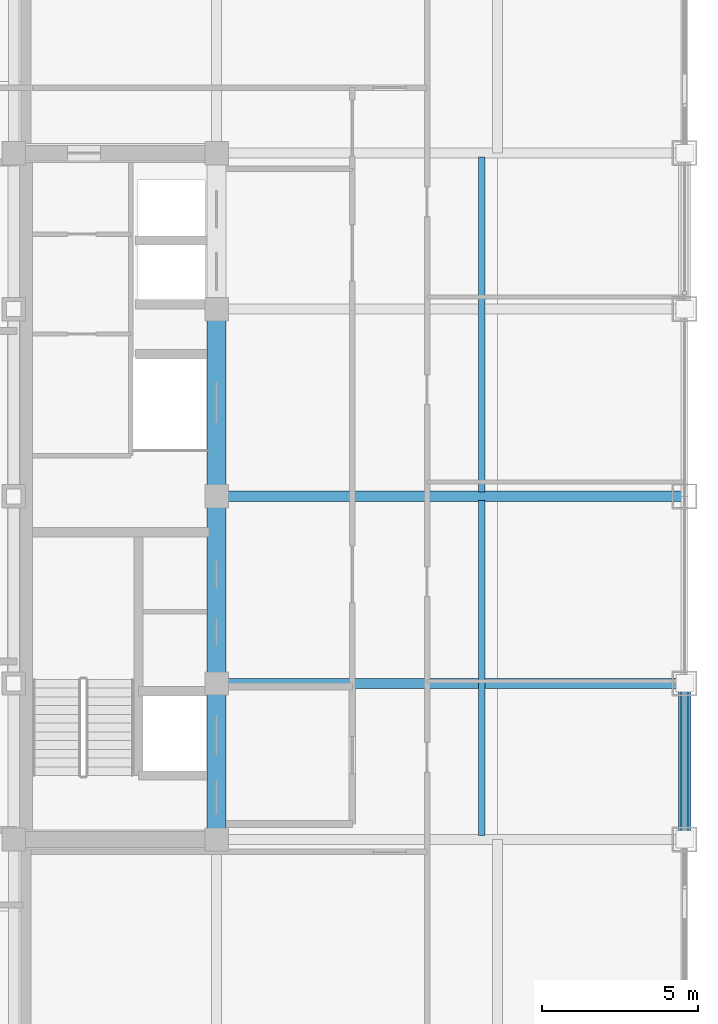
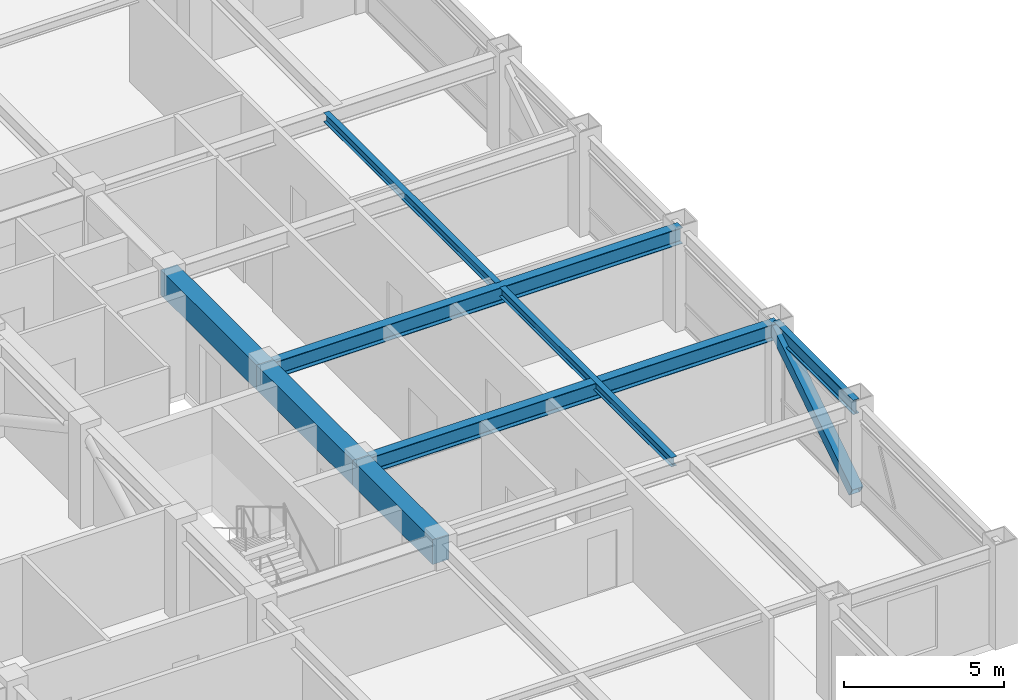
# One storey, part 13 of 29: 8 beams, 1 member.
"""IFC4 building model written with IfcOpenShell, lengths in metres."""

from ifc_helpers import new_model, si_unit, direction, frame, origin, origin_2d, place, context, subcontext, project, spatial, rectangle, hollow_rectangle, i_section, extrude, source, transform, mapped, material, material_profile, profile_set, type_object, element, save


model = new_model("IFC4")

# Units and contexts
model_context = context("Model", 3, precision=1e-05, world=origin(), true_north=direction((0.0, 1.0)))
body_context = subcontext(model_context, "Body", "Model", "MODEL_VIEW")
ifc_project = project(units=[si_unit("LENGTHUNIT", "METRE"), si_unit("AREAUNIT", "SQUARE_METRE"), si_unit("VOLUMEUNIT", "CUBIC_METRE"), si_unit("PLANEANGLEUNIT", "RADIAN"), si_unit("MASSUNIT", "GRAM", prefix="KILO")], contexts=[model_context])

# Site, building, storey
site_placement = place(None, origin())
site = spatial("IfcSite", under=ifc_project, at=site_placement, CompositionType="ELEMENT")
building_placement = place(site_placement, origin())
building = spatial("IfcBuilding", under=site, at=building_placement, Name="Khorayat Bourse Tower", CompositionType="ELEMENT")
storey_placement = place(building_placement, frame((0.0, 0.0, 346.300048828125)))
storey = spatial("IfcBuildingStorey", under=building, at=storey_placement, Name="L82", CompositionType="ELEMENT", Elevation=346.300048828125)

# Beams
ifc_material_1 = material(Name="Concrete C60/75", Category="concrete")
ifc_material_profile_1 = material_profile(ifc_material_1, rectangle(XDim=0.60009765625, YDim=0.949951171875, at=origin_2d()), Name="RC 600x950")
ifc_profile_set_1 = profile_set([ifc_material_profile_1], Name="Concrete C60/75")
beam_type_1 = type_object("IfcBeamType", Name="BM-COUP-950", PredefinedType="BEAM", material=ifc_profile_set_1)
shared_shape_1 = source(origin(), body_context, "Body", "SweptSolid", [
    extrude(rectangle(XDim=0.60009765625, YDim=0.949951171875, at=origin_2d()), origin(), (0.0, 0.0, 1.0), 5.0),
])
beam_1_placement = place(storey_placement, frame((11.0, -11.0, 3.264892578125), z_axis=(0.0, 1.0, 0.0), x_axis=(-1.0, 0.0, 0.0)))
element("IfcBeam", 1, at=beam_1_placement, inside=storey, type_object=beam_type_1, Name="L82 BM-COUP-950 BM-L82-CRX-13", PredefinedType="BEAM", context=body_context, shape_type="MappedRepresentation", body=[
    mapped(shared_shape_1, transform((0.0, 0.0, 0.0), scale=1.0)),
])
shared_shape_2 = source(origin(), body_context, "Body", "SweptSolid", [
    extrude(rectangle(XDim=0.60009765625, YDim=0.949951171875, at=origin_2d()), origin(), (0.0, 0.0, 1.0), 6.0),
])
for number, where, z_axis, x_axis, name in (
    (2, (11.0, -6.0, 3.264892578125), (0.0, 1.0, 0.0), (-1.0, 0.0, 0.0), "L82 BM-COUP-950 BM-L82-CRX-14"),
    (3, (11.0, 0.0, 3.264892578125), (0.0, 1.0, 0.0), (-1.0, 0.0, 0.0), "L82 BM-COUP-950 BM-L82-CRX-15"),
):
    element("IfcBeam", number, at=place(storey_placement, frame(where, z_axis=z_axis, x_axis=x_axis)), inside=storey, type_object=beam_type_1, Name=name, PredefinedType="BEAM", context=body_context, shape_type="MappedRepresentation", body=[
        mapped(shared_shape_2, transform((0.0, 0.0, 0.0), scale=1.0)),
    ])
ifc_material_2 = material(Name="Steel ASTM A992 Grade 50", Category="steel")
ifc_material_profile_2 = material_profile(ifc_material_2, i_section(OverallWidth=0.202880859375, OverallDepth=0.346923828125, WebThickness=0.0078125, FlangeThickness=0.013427734375, FilletRadius=0.010009765625, at=origin_2d()), Name="W360X64")
ifc_profile_set_2 = profile_set([ifc_material_profile_2], Name="Steel ASTM A992 Grade 50")
beam_type_2 = type_object("IfcBeamType", Name="BM-JOIST-360", PredefinedType="JOIST", material=ifc_profile_set_2)
shared_shape_3 = source(origin(), body_context, "Body", "SweptSolid", [
    extrude(i_section(OverallWidth=0.202880859375, OverallDepth=0.346923828125, WebThickness=0.0078125, FlangeThickness=0.013427734375, FilletRadius=0.010009765625, at=origin_2d()), origin(), (0.0, 0.0, 1.0), 10.740234375),
])
for number, where, z_axis, x_axis, name in (
    (4, (19.5, -10.8701171875, 3.56640625), (0.0, 1.0, 0.0), (-1.0, 0.0, 0.0), "L82 BM-JOIST-360 BM-L82-JSTY-081"),
    (5, (19.5, 0.1298828125, 3.56640625), (0.0, 1.0, 0.0), (-1.0, 0.0, 0.0), "L82 BM-JOIST-360 BM-L82-JSTY-082"),
):
    element("IfcBeam", number, at=place(storey_placement, frame(where, z_axis=z_axis, x_axis=x_axis)), inside=storey, type_object=beam_type_2, Name=name, PredefinedType="JOIST", context=body_context, shape_type="MappedRepresentation", body=[
        mapped(shared_shape_3, transform((0.0, 0.0, 0.0), scale=1.0)),
    ])
ifc_material_profile_3 = material_profile(ifc_material_2, i_section(OverallWidth=0.214111328125, OverallDepth=0.549072265625, WebThickness=0.0146484375, FlangeThickness=0.023681640625, FilletRadius=0.013916015625, at=origin_2d()), Name="W530X138")
ifc_profile_set_3 = profile_set([ifc_material_profile_3], Name="Steel ASTM A992 Grade 50")
beam_type_3 = type_object("IfcBeamType", Name="BM-SPAN-530", PredefinedType="SPANDREL", material=ifc_profile_set_3)
shared_shape_4 = source(origin(), body_context, "Body", "SweptSolid", [
    extrude(i_section(OverallWidth=0.214111328125, OverallDepth=0.549072265625, WebThickness=0.0146484375, FlangeThickness=0.023681640625, FilletRadius=0.013916015625, at=origin_2d()), origin(), (0.0, 0.0, 1.0), 5.0),
])
beam_2_placement = place(storey_placement, frame((26.0, -11.0, 3.46533203125), z_axis=(0.0, 1.0, 0.0), x_axis=(-1.0, 0.0, 0.0)))
element("IfcBeam", 6, at=beam_2_placement, inside=storey, type_object=beam_type_3, Name="L82 BM-SPAN-530 BM-L82-SPN-030", PredefinedType="SPANDREL", context=body_context, shape_type="MappedRepresentation", body=[
    mapped(shared_shape_4, transform((0.0, 0.0, 0.0), scale=1.0)),
])
ifc_material_profile_4 = material_profile(ifc_material_2, i_section(OverallWidth=0.324951171875, OverallDepth=0.615966796875, WebThickness=0.013916015625, FlangeThickness=0.021484375, FilletRadius=0.01611328125, at=origin_2d()), Name="W610X174")
ifc_profile_set_4 = profile_set([ifc_material_profile_4], Name="Steel ASTM A992 Grade 50")
beam_type_4 = type_object("IfcBeamType", Name="BM-GIRD-610", PredefinedType="BEAM", material=ifc_profile_set_4)
shared_shape_5 = source(origin(), body_context, "Body", "SweptSolid", [
    extrude(i_section(OverallWidth=0.324951171875, OverallDepth=0.615966796875, WebThickness=0.013916015625, FlangeThickness=0.021484375, FilletRadius=0.01611328125, at=origin_2d()), origin(), (0.0, 0.0, 1.0), 15.0),
])
for number, where, z_axis, x_axis, name in (
    (7, (11.0, -6.0, 3.431884765625), (1.0, 0.0, 0.0), (0.0, 1.0, 0.0), "L82 BM-GIRD-610 BM-L82-RADX-063"),
    (8, (11.0, 0.0, 3.431884765625), (1.0, 0.0, 0.0), (0.0, 1.0, 0.0), "L82 BM-GIRD-610 BM-L82-RADX-065"),
):
    element("IfcBeam", number, at=place(storey_placement, frame(where, z_axis=z_axis, x_axis=x_axis)), inside=storey, type_object=beam_type_4, Name=name, PredefinedType="BEAM", context=body_context, shape_type="MappedRepresentation", body=[
        mapped(shared_shape_5, transform((0.0, 0.0, 0.0), scale=1.0)),
    ])

# Member
ifc_material_3 = material(Name="Steel EN 10025-4 S460M", Category="steel")
ifc_material_profile_5 = material_profile(ifc_material_3, hollow_rectangle(XDim=0.39990234375, YDim=0.39990234375, WallThickness=0.02197265625, at=origin_2d()), Name="HSS 400x400x22")
ifc_profile_set_5 = profile_set([ifc_material_profile_5], Name="Steel EN 10025-4 S460M")
member_type = type_object("IfcMemberType", Name="MBR-TUBE-400", PredefinedType="BRACE", material=ifc_profile_set_5)
shared_shape_6 = source(origin(), body_context, "Body", "SweptSolid", [
    extrude(hollow_rectangle(XDim=0.39990234375, YDim=0.39990234375, WallThickness=0.02197265625, at=origin_2d()), origin(), (0.0, 0.0, 1.0), 5.9580078125),
])
member_placement = place(storey_placement, frame((26.0, -11.0, 0.25), z_axis=(0.0, 0.839210474455, 0.543806748364), x_axis=(-1.0, 0.0, 0.0)))
element("IfcMember", 9, at=member_placement, inside=storey, type_object=member_type, Name="L82 Perimeter Tube Brace 07", PredefinedType="BRACE", context=body_context, shape_type="MappedRepresentation", body=[
    mapped(shared_shape_6, transform((0.0, 0.0, 0.0), scale=1.0)),
])

save(model, "model.ifc")
